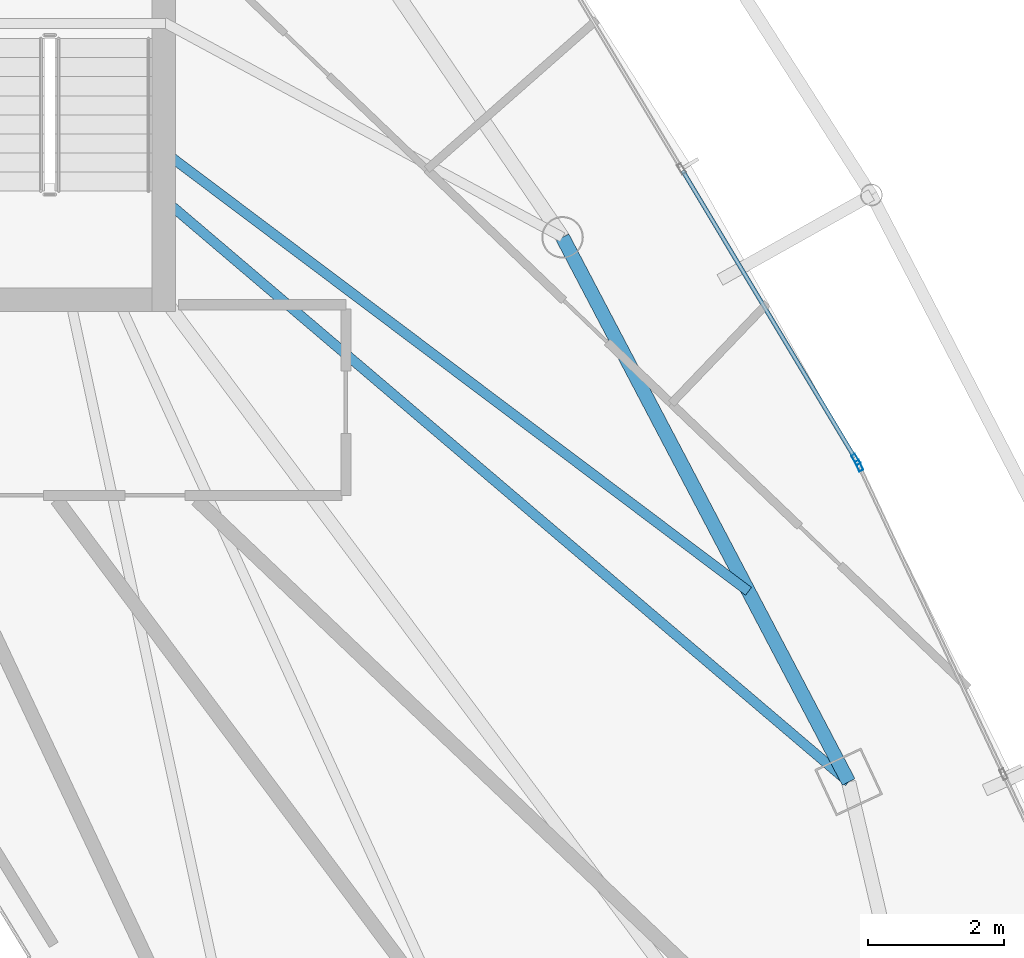
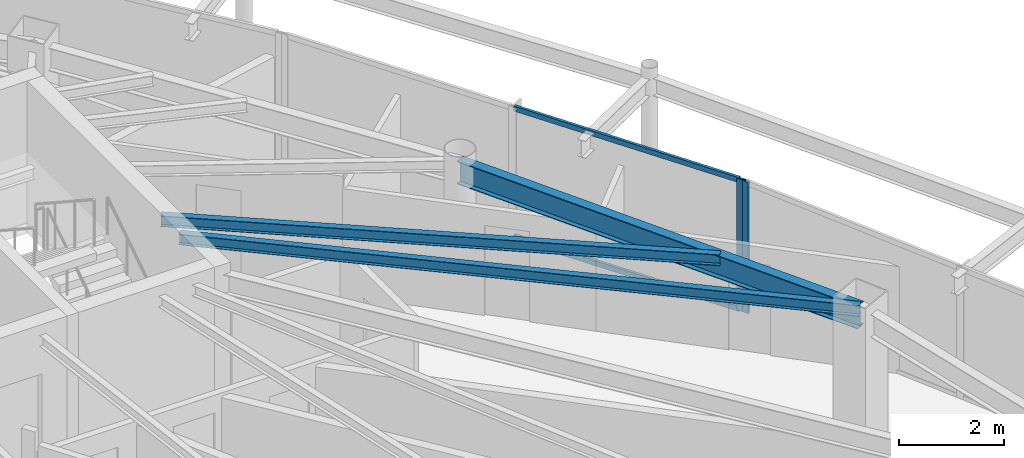
# One storey, part 18 of 32: 4 members, 3 beams, 2 elements without a shape of their own.
"""IFC4 building model written with IfcOpenShell, lengths in metres."""

from ifc_helpers import new_model, si_unit, direction, frame, origin, origin_2d, place, context, subcontext, project, spatial, hollow_rectangle, i_section, extrude, material, layer, layer_set, material_profile, profile_set, type_object, element, aggregate, save


model = new_model("IFC4")

# Units and contexts
model_context = context("Model", 3, precision=1e-05, world=origin(), true_north=direction((0.0, 1.0)))
body_context = subcontext(model_context, "Body", "Model", "MODEL_VIEW")
ifc_project = project(units=[si_unit("LENGTHUNIT", "METRE"), si_unit("AREAUNIT", "SQUARE_METRE"), si_unit("VOLUMEUNIT", "CUBIC_METRE"), si_unit("PLANEANGLEUNIT", "RADIAN"), si_unit("MASSUNIT", "GRAM", prefix="KILO")], contexts=[model_context])

# Site, building, storey
site_placement = place(None, origin())
site = spatial("IfcSite", under=ifc_project, at=site_placement, CompositionType="ELEMENT")
building_placement = place(site_placement, origin())
building = spatial("IfcBuilding", under=site, at=building_placement, Name="Orvanel Arch Residences", CompositionType="ELEMENT")
storey_placement = place(building_placement, frame((0.0, 0.0, 219.5)))
storey = spatial("IfcBuildingStorey", under=building, at=storey_placement, Name="L62", CompositionType="ELEMENT", Elevation=219.5)

# Beams
ifc_material_1 = material(Name="Structural steel AS/NZS 3679.1 Grade 300 (300 MPa)", Category="steel")
ifc_material_profile_1 = material_profile(ifc_material_1, i_section(OverallWidth=0.14599609375, OverallDepth=0.251953125, WebThickness=0.006103515625, FlangeThickness=0.008544921875, at=origin_2d()), Name="250UB31.4")
ifc_profile_set_1 = profile_set([ifc_material_profile_1], Name="Structural steel AS/NZS 3679.1 Grade 300 (300 MPa)")
beam_type_1 = type_object("IfcBeamType", Name="BJ-250UB", PredefinedType="JOIST", material=ifc_profile_set_1)
beam_1_placement = place(storey_placement, frame((39.574951171875, 28.199951171875, 2.93408203125), z_axis=(0.761622669031, -0.64802076357, 0.0), x_axis=(0.64802076357, 0.761622669031, 0.0)))
element("IfcBeam", 1, at=beam_1_placement, inside=storey, type_object=beam_type_1, Name="L62 E Wing Floor Joist", PredefinedType="JOIST", context=body_context, shape_type="SweptSolid", body=[
    extrude(i_section(OverallWidth=0.14599609375, OverallDepth=0.251953125, WebThickness=0.006103515625, FlangeThickness=0.008544921875, at=origin_2d()), origin(), (0.0, 0.0, 1.0), 13.2060546875),
])
beam_2_placement = place(storey_placement, frame((39.574951171875, 28.89990234375, 2.93408203125), z_axis=(0.799211300837, -0.60105016148, 0.0), x_axis=(0.60105016148, 0.799211300837, 0.0)))
element("IfcBeam", 2, at=beam_2_placement, inside=storey, type_object=beam_type_1, Name="L62 CTE Wing Floor Joist", PredefinedType="JOIST", context=body_context, shape_type="SweptSolid", body=[
    extrude(i_section(OverallWidth=0.14599609375, OverallDepth=0.251953125, WebThickness=0.006103515625, FlangeThickness=0.008544921875, at=origin_2d()), origin(), (0.0, 0.0, 1.0), 10.74462890625),
])

# Curtain wall, member
ifc_material_2 = material(Name="Bronze-anodised aluminium AA6063-T6", Category="aluminium")
ifc_layer = layer(ifc_material_2, 0.175048828125)
ifc_layer_set = layer_set([ifc_layer], Name="Bronze-anodised aluminium AA6063-T6")
curtain_wall_type = type_object("IfcCurtainWallType", Name="CW4-HI-SYS", PredefinedType="NOTDEFINED", material=ifc_layer_set)
curtain_wall_1_placement = place(storey_placement, origin())
curtain_wall_1 = element("IfcCurtainWall", 3, at=curtain_wall_1_placement, inside=storey, type_object=curtain_wall_type, Name="L62 CW4-HI-SYS Unitised Curtain Wall", PredefinedType="NOTDEFINED")
ifc_material_profile_2 = material_profile(ifc_material_2, hollow_rectangle(XDim=0.06494140625, YDim=0.159912109375, WallThickness=0.00390625, at=origin_2d()), Name="ALU160x65x4")
ifc_profile_set_2 = profile_set([ifc_material_profile_2], Name="Bronze-anodised aluminium AA6063-T6")
member_type_1 = type_object("IfcMemberType", Name="MUL-160x65", PredefinedType="MULLION", material=ifc_profile_set_2)
member_1_placement = place(storey_placement, frame((49.786865234375, 24.28662109375, 0.0), z_axis=(0.0, 0.0, 1.0), x_axis=(-0.905611523567, -0.424108203626, 0.0)))
member_1 = element("IfcMember", 4, at=member_1_placement, type_object=member_type_1, Name="CW-S4 mullion 3", PredefinedType="MULLION", context=body_context, shape_type="SweptSolid", body=[
    extrude(hollow_rectangle(XDim=0.06494140625, YDim=0.159912109375, WallThickness=0.00390625, at=origin_2d()), origin(), (0.0, 0.0, 1.0), 3.06005859375),
])
aggregate(curtain_wall_1, [member_1])

curtain_wall_2_placement = place(storey_placement, origin())
curtain_wall_2 = element("IfcCurtainWall", 5, at=curtain_wall_2_placement, inside=storey, type_object=curtain_wall_type, Name="L62 CW4-HI-SYS Unitised Curtain Wall", PredefinedType="NOTDEFINED")
member_2_placement = place(storey_placement, frame((49.73828125, 24.37890625, 0.0), z_axis=(0.0, 0.0, 1.0), x_axis=(-0.857536965081, -0.514422349359, 0.0)))
member_2 = element("IfcMember", 6, at=member_2_placement, type_object=member_type_1, Name="CW-S4 mullion 1", PredefinedType="MULLION", context=body_context, shape_type="SweptSolid", body=[
    extrude(hollow_rectangle(XDim=0.06494140625, YDim=0.159912109375, WallThickness=0.00390625, at=origin_2d()), origin(), (0.0, 0.0, 1.0), 3.06005859375),
])

# Beam
ifc_material_profile_3 = material_profile(ifc_material_1, i_section(OverallWidth=0.208984375, OverallDepth=0.532958984375, WebThickness=0.01025390625, FlangeThickness=0.015625, at=origin_2d()), Name="530UB92.4")
ifc_profile_set_3 = profile_set([ifc_material_profile_3], Name="Structural steel AS/NZS 3679.1 Grade 300 (300 MPa)")
beam_type_2 = type_object("IfcBeamType", Name="SP-530UB", PredefinedType="SPANDREL", material=ifc_profile_set_3)
beam_3_placement = place(storey_placement, frame((49.633056640625, 19.64208984375, 2.79296875), z_axis=(-0.465064762793, 0.885276660942, 0.0), x_axis=(-0.885276660942, -0.465064762793, 0.0)))
element("IfcBeam", 7, at=beam_3_placement, inside=storey, type_object=beam_type_2, Name="L62 Perimeter Spandrel Beam 07", PredefinedType="SPANDREL", context=body_context, shape_type="SweptSolid", body=[
    extrude(i_section(OverallWidth=0.208984375, OverallDepth=0.532958984375, WebThickness=0.01025390625, FlangeThickness=0.015625, at=origin_2d()), origin(), (0.0, 0.0, 1.0), 9.03564453125),
])

# Member
ifc_material_profile_4 = material_profile(ifc_material_2, hollow_rectangle(XDim=0.06005859375, YDim=0.1201171875, WallThickness=0.00341796875, at=origin_2d()), Name="ALU120x60x3.5")
ifc_profile_set_4 = profile_set([ifc_material_profile_4], Name="Bronze-anodised aluminium AA6063-T6")
member_type_2 = type_object("IfcMemberType", Name="TRN-120x60", PredefinedType="USERDEFINED", material=ifc_profile_set_4)
member_3_placement = place(storey_placement, frame((49.7216796875, 24.40673828125, 0.030029296875), z_axis=(-0.514422647267, 0.85753678637, 0.0), x_axis=(-0.85753678637, -0.514422647267, 0.0)))
member_3 = element("IfcMember", 8, at=member_3_placement, type_object=member_type_2, Name="CW-S4 transom 1.1", ObjectType="TRANSOM", PredefinedType="USERDEFINED", context=body_context, shape_type="SweptSolid", body=[
    extrude(hollow_rectangle(XDim=0.06005859375, YDim=0.1201171875, WallThickness=0.00341796875, at=origin_2d()), origin(), (0.0, 0.0, 1.0), 4.9111328125),
])

member_4_placement = place(storey_placement, frame((49.7216796875, 24.40673828125, 3.030029296875), z_axis=(-0.514422647267, 0.85753678637, 0.0), x_axis=(-0.85753678637, -0.514422647267, 0.0)))
member_4 = element("IfcMember", 9, at=member_4_placement, type_object=member_type_2, Name="CW-S4 transom 1.2", ObjectType="TRANSOM", PredefinedType="USERDEFINED", context=body_context, shape_type="SweptSolid", body=[
    extrude(hollow_rectangle(XDim=0.06005859375, YDim=0.1201171875, WallThickness=0.00341796875, at=origin_2d()), origin(), (0.0, 0.0, 1.0), 4.9111328125),
])

aggregate(curtain_wall_2, [member_2, member_3, member_4])

save(model, "model.ifc")
